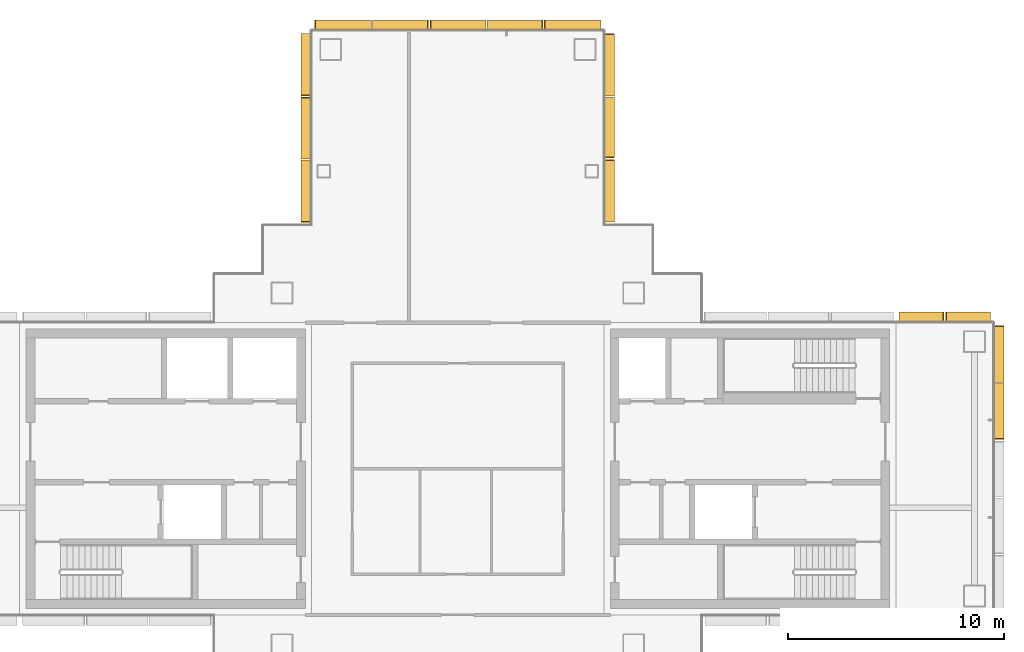
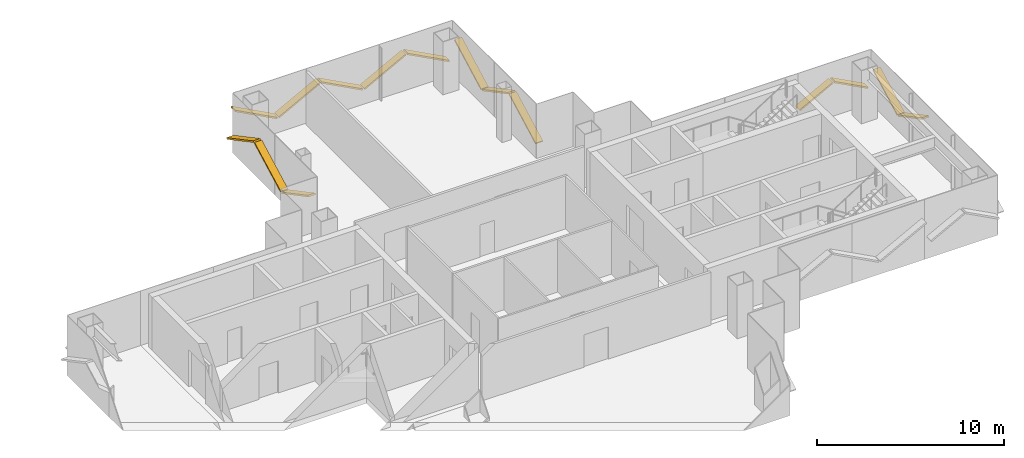
# One storey, part 16 of 17: 15 shading devices.
"""IFC4 building model written with IfcOpenShell, lengths in metres."""

from ifc_helpers import new_model, si_unit, direction, frame, origin, origin_2d, place, context, subcontext, project, spatial, rectangle, extrude, material, material_profile, profile_set, type_object, element, save


model = new_model("IFC4")

# Units and contexts
model_context = context("Model", 3, precision=1e-05, world=origin(), true_north=direction((0.0, 1.0)))
body_context = subcontext(model_context, "Body", "Model", "MODEL_VIEW")
ifc_project = project(units=[si_unit("LENGTHUNIT", "METRE"), si_unit("AREAUNIT", "SQUARE_METRE"), si_unit("VOLUMEUNIT", "CUBIC_METRE"), si_unit("PLANEANGLEUNIT", "RADIAN"), si_unit("MASSUNIT", "GRAM", prefix="KILO")], contexts=[model_context])

# Site, building, storey
site_placement = place(None, origin())
site = spatial("IfcSite", under=ifc_project, at=site_placement, CompositionType="ELEMENT")
building_placement = place(site_placement, origin())
building = spatial("IfcBuilding", under=site, at=building_placement, Name="Shamsa Quay Exchange Towers", CompositionType="ELEMENT")
storey_placement = place(building_placement, frame((0.0, 0.0, 221.699951171875)))
storey = spatial("IfcBuildingStorey", under=building, at=storey_placement, Name="L53", CompositionType="ELEMENT", Elevation=221.699951171875)

# Shading devices
ifc_material = material(Name="Aluminium EN AW-6063 T6, black anodised", Category="aluminium")
ifc_material_profile = material_profile(ifc_material, rectangle(XDim=0.449951171875, YDim=0.10009765625, at=origin_2d()), Name="FIN450x100")
ifc_profile_set = profile_set([ifc_material_profile], Name="Aluminium EN AW-6063 T6, black anodised")
shading_device_type = type_object("IfcShadingDeviceType", Name="FIN 450x100 BLACK ALUMINIUM", PredefinedType="USERDEFINED", material=ifc_profile_set)
shading_device_1_placement = place(storey_placement, frame((58.764892578125, 1.3701171875, 2.275390625), z_axis=(0.0, 0.882925540975, -0.469513033997), x_axis=(-1.0, 0.0, 0.0)))
element("IfcShadingDevice", 1, at=shading_device_1_placement, inside=storey, type_object=shading_device_type, Name="FIN T2 chevron rib", ObjectType="FIN", PredefinedType="USERDEFINED", context=body_context, shape_type="SweptSolid", body=[
    extrude(rectangle(XDim=0.449951171875, YDim=0.10009765625, at=origin_2d()), origin(), (0.0, 0.0, 1.0), 2.87646484375),
])
shading_device_2_placement = place(storey_placement, frame((58.764892578125, 4.010009765625, 0.911376953125), z_axis=(0.0, 0.882944327895, 0.469477703238), x_axis=(-1.0, 0.0, 0.0)))
element("IfcShadingDevice", 2, at=shading_device_2_placement, inside=storey, type_object=shading_device_type, Name="FIN T2 chevron rib", ObjectType="FIN", PredefinedType="USERDEFINED", context=body_context, shape_type="SweptSolid", body=[
    extrude(rectangle(XDim=0.449951171875, YDim=0.10009765625, at=origin_2d()), origin(), (0.0, 0.0, 1.0), 2.933349609375),
])
for number, where, z_axis, x_axis, name in (
    (3, (58.35009765625, 7.014892578125, 1.054931640625), (-0.882937310539, 0.0, 0.469490900507), (0.0, -1.0, 0.0), "FIN T2 chevron rib"),
    (4, (56.199951171875, 7.014892578125, 2.14501953125), (-0.882937310539, 0.0, -0.469490900507), (0.0, -1.0, 0.0), "FIN T2 chevron rib"),
):
    element("IfcShadingDevice", number, at=place(storey_placement, frame(where, z_axis=z_axis, x_axis=x_axis)), inside=storey, type_object=shading_device_type, Name=name, ObjectType="FIN", PredefinedType="USERDEFINED", context=body_context, shape_type="SweptSolid", body=[
        extrude(rectangle(XDim=0.449951171875, YDim=0.10009765625, at=origin_2d()), origin(), (0.0, 0.0, 1.0), 2.32177734375),
    ])
shading_device_3_placement = place(storey_placement, frame((40.764892578125, 11.43798828125, 0.845703125), z_axis=(0.0, 0.882964189293, 0.469440348102), x_axis=(-1.0, 0.0, 0.0)))
element("IfcShadingDevice", 5, at=shading_device_3_placement, inside=storey, type_object=shading_device_type, Name="FIN T2 chevron rib", ObjectType="FIN", PredefinedType="USERDEFINED", context=body_context, shape_type="SweptSolid", body=[
    extrude(rectangle(XDim=0.449951171875, YDim=0.10009765625, at=origin_2d()), origin(), (0.0, 0.0, 1.0), 3.21337890625),
])
shading_device_4_placement = place(storey_placement, frame((40.764892578125, 14.375244140625, 2.341064453125), z_axis=(0.0, 0.882964473393, -0.469439813742), x_axis=(-1.0, 0.0, 0.0)))
element("IfcShadingDevice", 6, at=shading_device_4_placement, inside=storey, type_object=shading_device_type, Name="FIN T2 chevron rib", ObjectType="FIN", PredefinedType="USERDEFINED", context=body_context, shape_type="SweptSolid", body=[
    extrude(rectangle(XDim=0.449951171875, YDim=0.10009765625, at=origin_2d()), origin(), (0.0, 0.0, 1.0), 3.15673828125),
])
shading_device_5_placement = place(storey_placement, frame((40.764892578125, 17.2626953125, 0.845703125), z_axis=(0.0, 0.882964189293, 0.469440348102), x_axis=(-1.0, 0.0, 0.0)))
element("IfcShadingDevice", 7, at=shading_device_5_placement, inside=storey, type_object=shading_device_type, Name="FIN T2 chevron rib", ObjectType="FIN", PredefinedType="USERDEFINED", context=body_context, shape_type="SweptSolid", body=[
    extrude(rectangle(XDim=0.449951171875, YDim=0.10009765625, at=origin_2d()), origin(), (0.0, 0.0, 1.0), 3.21337890625),
])
shading_device_6_placement = place(storey_placement, frame((40.35009765625, 20.514892578125, 0.911376953125), z_axis=(-0.882944327895, 0.0, 0.469477703238), x_axis=(0.0, -1.0, 0.0)))
element("IfcShadingDevice", 8, at=shading_device_6_placement, inside=storey, type_object=shading_device_type, Name="FIN T2 chevron rib", ObjectType="FIN", PredefinedType="USERDEFINED", context=body_context, shape_type="SweptSolid", body=[
    extrude(rectangle(XDim=0.449951171875, YDim=0.10009765625, at=origin_2d()), origin(), (0.0, 0.0, 1.0), 2.933349609375),
])
shading_device_7_placement = place(storey_placement, frame((37.659912109375, 20.514892578125, 2.275390625), z_axis=(-0.882925540975, 0.0, -0.469513033997), x_axis=(0.0, -1.0, 0.0)))
element("IfcShadingDevice", 9, at=shading_device_7_placement, inside=storey, type_object=shading_device_type, Name="FIN T2 chevron rib", ObjectType="FIN", PredefinedType="USERDEFINED", context=body_context, shape_type="SweptSolid", body=[
    extrude(rectangle(XDim=0.449951171875, YDim=0.10009765625, at=origin_2d()), origin(), (0.0, 0.0, 1.0), 2.87646484375),
])
shading_device_8_placement = place(storey_placement, frame((35.02001953125, 20.514892578125, 0.9248046875), z_axis=(-0.882944248312, 0.0, 0.469477852909), x_axis=(0.0, -1.0, 0.0)))
element("IfcShadingDevice", 10, at=shading_device_8_placement, inside=storey, type_object=shading_device_type, Name="FIN T2 chevron rib", ObjectType="FIN", PredefinedType="USERDEFINED", context=body_context, shape_type="SweptSolid", body=[
    extrude(rectangle(XDim=0.449951171875, YDim=0.10009765625, at=origin_2d()), origin(), (0.0, 0.0, 1.0), 2.876708984375),
])
shading_device_9_placement = place(storey_placement, frame((32.3798828125, 20.514892578125, 2.275390625), z_axis=(-0.882925540975, 0.0, -0.469513033997), x_axis=(0.0, -1.0, 0.0)))
element("IfcShadingDevice", 11, at=shading_device_9_placement, inside=storey, type_object=shading_device_type, Name="FIN T2 chevron rib", ObjectType="FIN", PredefinedType="USERDEFINED", context=body_context, shape_type="SweptSolid", body=[
    extrude(rectangle(XDim=0.449951171875, YDim=0.10009765625, at=origin_2d()), origin(), (0.0, 0.0, 1.0), 2.87646484375),
])
shading_device_10_placement = place(storey_placement, frame((29.739990234375, 20.514892578125, 0.911376953125), z_axis=(-0.882944327895, 0.0, 0.469477703238), x_axis=(0.0, -1.0, 0.0)))
element("IfcShadingDevice", 12, at=shading_device_10_placement, inside=storey, type_object=shading_device_type, Name="FIN T2 chevron rib", ObjectType="FIN", PredefinedType="USERDEFINED", context=body_context, shape_type="SweptSolid", body=[
    extrude(rectangle(XDim=0.449951171875, YDim=0.10009765625, at=origin_2d()), origin(), (0.0, 0.0, 1.0), 2.933349609375),
])
shading_device_11_placement = place(storey_placement, frame((26.735107421875, 20.10009765625, 0.84228515625), z_axis=(0.0, -0.882953107739, 0.469461190658), x_axis=(1.0, 0.0, 0.0)))
element("IfcShadingDevice", 13, at=shading_device_11_placement, inside=storey, type_object=shading_device_type, Name="FIN T2 chevron rib", ObjectType="FIN", PredefinedType="USERDEFINED", context=body_context, shape_type="SweptSolid", body=[
    extrude(rectangle(XDim=0.449951171875, YDim=0.10009765625, at=origin_2d()), origin(), (0.0, 0.0, 1.0), 3.22802734375),
])
shading_device_12_placement = place(storey_placement, frame((26.735107421875, 17.14990234375, 2.344482421875), z_axis=(0.0, -0.882936223509, -0.469492944799), x_axis=(1.0, 0.0, 0.0)))
element("IfcShadingDevice", 14, at=shading_device_12_placement, inside=storey, type_object=shading_device_type, Name="FIN T2 chevron rib", ObjectType="FIN", PredefinedType="USERDEFINED", context=body_context, shape_type="SweptSolid", body=[
    extrude(rectangle(XDim=0.449951171875, YDim=0.10009765625, at=origin_2d()), origin(), (0.0, 0.0, 1.0), 3.1708984375),
])
shading_device_13_placement = place(storey_placement, frame((26.735107421875, 14.25, 0.84228515625), z_axis=(0.0, -0.882953107739, 0.469461190658), x_axis=(1.0, 0.0, 0.0)))
element("IfcShadingDevice", 15, at=shading_device_13_placement, inside=storey, type_object=shading_device_type, Name="FIN T2 chevron rib", ObjectType="FIN", PredefinedType="USERDEFINED", context=body_context, shape_type="SweptSolid", body=[
    extrude(rectangle(XDim=0.449951171875, YDim=0.10009765625, at=origin_2d()), origin(), (0.0, 0.0, 1.0), 3.22802734375),
])

save(model, "model.ifc")
